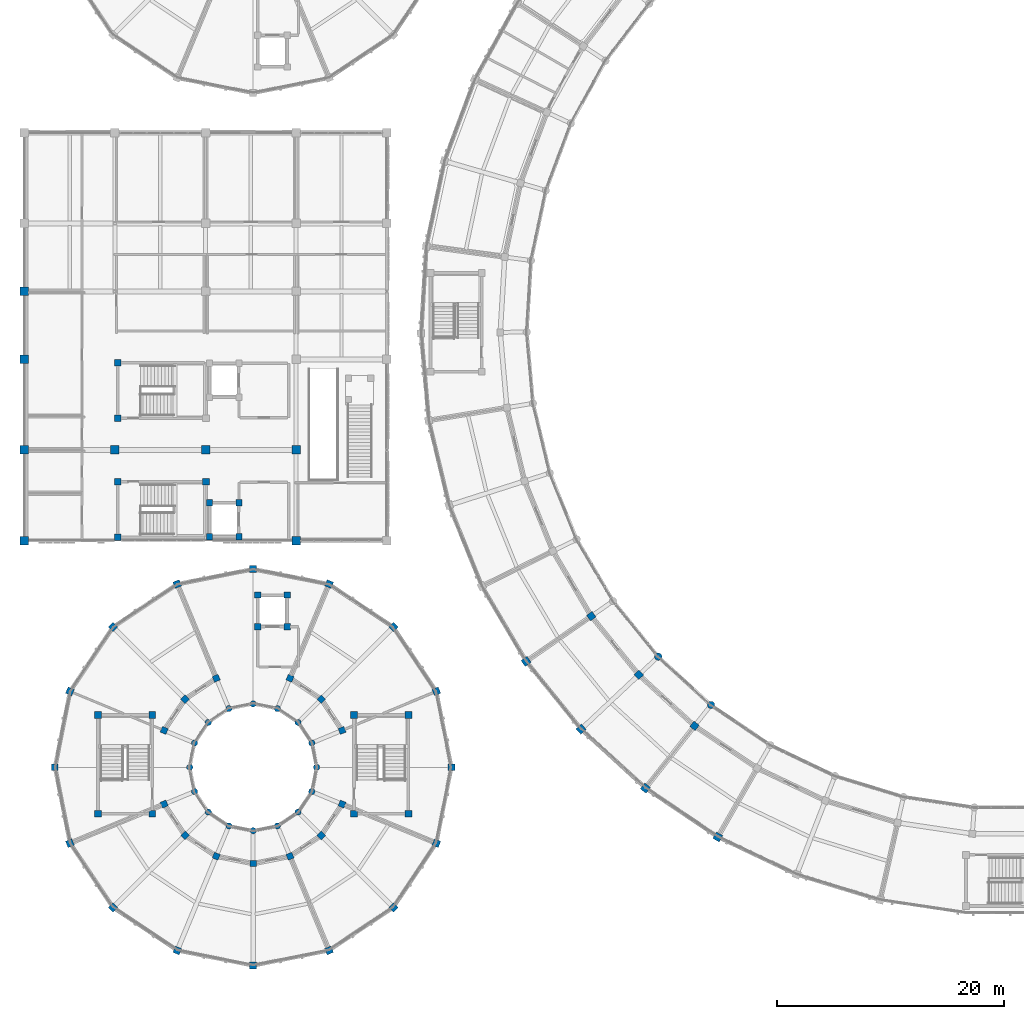
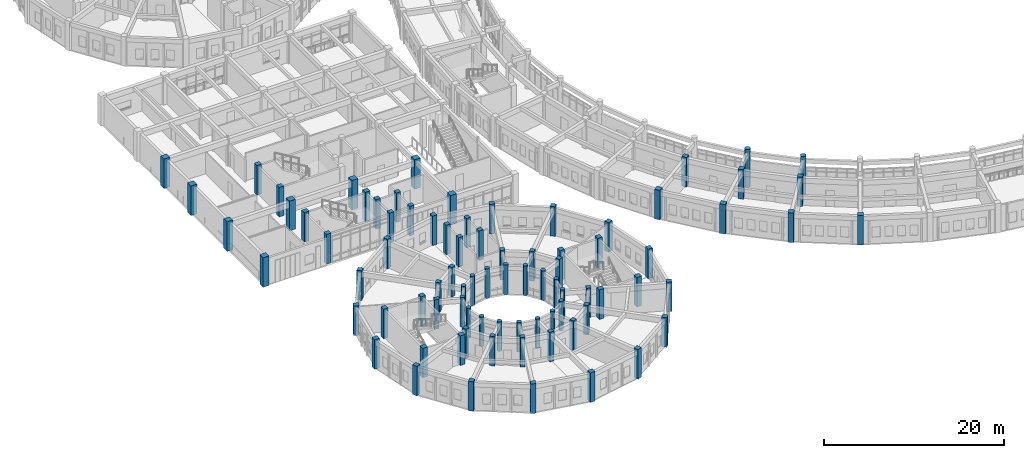
# One storey, part 1 of 159: 83 columns.
"""IFC4 building model written with IfcOpenShell, lengths in metres."""

from ifc_helpers import new_model, si_unit, direction, frame, origin, origin_2d, place, context, subcontext, project, spatial, rectangle, circle, extrude, material, material_profile, profile_set, type_object, element, save


model = new_model("IFC4")

# Units and contexts
model_context = context("Model", 3, precision=1e-05, world=origin(), true_north=direction((0.0, 1.0)))
body_context = subcontext(model_context, "Body", "Model", "MODEL_VIEW")
ifc_project = project(units=[si_unit("LENGTHUNIT", "METRE"), si_unit("AREAUNIT", "SQUARE_METRE"), si_unit("VOLUMEUNIT", "CUBIC_METRE"), si_unit("PLANEANGLEUNIT", "RADIAN"), si_unit("MASSUNIT", "GRAM", prefix="KILO")], contexts=[model_context])

# Site, building, storey
site_placement = place(None, origin())
site = spatial("IfcSite", under=ifc_project, at=site_placement, CompositionType="ELEMENT")
building_placement = place(site_placement, origin())
building = spatial("IfcBuilding", under=site, at=building_placement, Name="Celadon Cloister-Ring School", CompositionType="ELEMENT")
storey_placement = place(building_placement, frame((0.0, 0.0, 4.5)))
storey = spatial("IfcBuildingStorey", under=building, at=storey_placement, Name="L01", CompositionType="ELEMENT", Elevation=4.5)

# Columns
ifc_material_1 = material(Name="Concrete C40/50", Category="concrete")
ifc_material_profile_1 = material_profile(ifc_material_1, rectangle(XDim=0.75, YDim=0.75, at=origin_2d()), Name="RC750X750")
ifc_profile_set_1 = profile_set([ifc_material_profile_1], Name="Concrete C40/50")
column_type_1 = type_object("IfcColumnType", Name="CT-01", PredefinedType="COLUMN", material=ifc_profile_set_1)
for number, where, z_axis, x_axis, name in (
    (1, (0.0, 40.0, 0.0), (0.0, 0.0, 1.0), (1.0, 0.0, 0.0), "Column 1059"),
    (2, (0.0, 48.0, 0.0), (0.0, 0.0, 1.0), (1.0, 0.0, 0.0), "Column 1065"),
    (3, (0.0, 56.0, 0.0), (0.0, 0.0, 1.0), (1.0, 0.0, 0.0), "Column 1071"),
    (4, (0.0, 62.0, 0.0), (0.0, 0.0, 1.0), (1.0, 0.0, 0.0), "Column 1077"),
    (5, (16.0, 48.0, 0.0), (0.0, 0.0, 1.0), (1.0, 0.0, 0.0), "Column 1093"),
    (6, (24.0, 40.0, 0.0), (0.0, 0.0, 1.0), (1.0, 0.0, 0.0), "Column 1115"),
    (7, (24.0, 48.0, 0.0), (0.0, 0.0, 1.0), (1.0, 0.0, 0.0), "Column 1121"),
    (8, (8.0, 48.0, 0.0), (0.0, 0.0, 1.0), (1.0, 0.0, 0.0), "Column 1178"),
):
    element("IfcColumn", number, at=place(storey_placement, frame(where, z_axis=z_axis, x_axis=x_axis)), inside=storey, type_object=column_type_1, Name=name, PredefinedType="COLUMN", context=body_context, shape_type="SweptSolid", body=[
        extrude(rectangle(XDim=0.75, YDim=0.75, at=origin_2d()), origin(), (0.0, 0.0, 1.0), 4.0),
    ])
ifc_material_2 = material(Name="Concrete C40/50", Category="concrete")
ifc_material_profile_2 = material_profile(ifc_material_2, rectangle(XDim=0.60009765625, YDim=0.60009765625, at=origin_2d()), Name="RC600X600")
ifc_profile_set_2 = profile_set([ifc_material_profile_2], Name="Concrete C40/50")
column_type_2 = type_object("IfcColumnType", Name="CT-04", PredefinedType="COLUMN", material=ifc_profile_set_2)
for number, where, z_axis, x_axis, name in (
    (9, (8.25, 40.300048828125, 0.0), (0.0, 0.0, 1.0), (1.0, 0.0, 0.0), "Column 0124"),
    (10, (16.050048828125, 45.199951171875, 0.0), (0.0, 0.0, 1.0), (1.0, 0.0, 0.0), "Column 0130"),
    (11, (8.25, 45.199951171875, 0.0), (0.0, 0.0, 1.0), (1.0, 0.0, 0.0), "Column 0136"),
    (12, (8.25, 50.800048828125, 0.0), (0.0, 0.0, 1.0), (1.0, 0.0, 0.0), "Column 0142"),
    (13, (8.25, 55.699951171875, 0.0), (0.0, 0.0, 1.0), (1.0, 0.0, 0.0), "Column 0154"),
    (14, (6.5, 15.89990234375, 0.0), (0.0, 0.0, 1.0), (1.0, 0.0, 0.0), "Column 0160"),
    (15, (11.300048828125, 15.89990234375, 0.0), (0.0, 0.0, 1.0), (1.0, 0.0, 0.0), "Column 0164"),
    (16, (11.300048828125, 24.6201171875, 0.0), (0.0, 0.0, 1.0), (1.0, 0.0, 0.0), "Column 0168"),
    (17, (6.5, 24.6201171875, 0.0), (0.0, 0.0, 1.0), (1.0, 0.0, 0.0), "Column 0172"),
    (18, (29.10009765625, 15.89990234375, 0.0), (0.0, 0.0, 1.0), (1.0, 0.0, 0.0), "Column 0176"),
    (19, (33.89990234375, 15.89990234375, 0.0), (0.0, 0.0, 1.0), (1.0, 0.0, 0.0), "Column 0180"),
    (20, (33.89990234375, 24.6201171875, 0.0), (0.0, 0.0, 1.0), (1.0, 0.0, 0.0), "Column 0184"),
    (21, (29.10009765625, 24.6201171875, 0.0), (0.0, 0.0, 1.0), (1.0, 0.0, 0.0), "Column 0188"),
    (22, (50.0380859375, 33.3330078125, 0.0), (0.0, 0.0, 1.0), (-0.821388197028, -0.57036955545, 0.0), "Column 0441"),
    (23, (54.235107421875, 28.154052734375, 0.0), (0.0, 0.0, 1.0), (-0.728107824814, -0.685462614185, 0.0), "Column 0445"),
    (24, (59.152099609375, 23.652099609375, 0.0), (0.0, 0.0, 1.0), (-0.618847204173, -0.785511386224, 0.0), "Column 0449"),
):
    element("IfcColumn", number, at=place(storey_placement, frame(where, z_axis=z_axis, x_axis=x_axis)), inside=storey, type_object=column_type_2, Name=name, PredefinedType="COLUMN", context=body_context, shape_type="SweptSolid", body=[
        extrude(rectangle(XDim=0.60009765625, YDim=0.60009765625, at=origin_2d()), origin(), (0.0, 0.0, 1.0), 4.0),
    ])
ifc_material_3 = material(Name="Concrete C40/50", Category="concrete")
ifc_material_profile_3 = material_profile(ifc_material_3, rectangle(XDim=0.550048828125, YDim=0.550048828125, at=origin_2d()), Name="RC550X550")
ifc_profile_set_3 = profile_set([ifc_material_profile_3], Name="Concrete C40/50")
column_type_3 = type_object("IfcColumnType", Name="CT-05", PredefinedType="COLUMN", material=ifc_profile_set_3)
for number, where, z_axis, x_axis, name in (
    (25, (16.35009765625, 40.35009765625, 0.0), (0.0, 0.0, 1.0), (1.0, 0.0, 0.0), "Column 0213"),
    (26, (18.949951171875, 40.35009765625, 0.0), (0.0, 0.0, 1.0), (1.0, 0.0, 0.0), "Column 0219"),
    (27, (18.949951171875, 43.35009765625, 0.0), (0.0, 0.0, 1.0), (1.0, 0.0, 0.0), "Column 0225"),
    (28, (16.35009765625, 43.35009765625, 0.0), (0.0, 0.0, 1.0), (1.0, 0.0, 0.0), "Column 0231"),
    (29, (20.60009765625, 32.39990234375, 0.0), (0.0, 0.0, 1.0), (1.0, 0.0, 0.0), "Column 0293"),
    (30, (23.199951171875, 32.39990234375, 0.0), (0.0, 0.0, 1.0), (1.0, 0.0, 0.0), "Column 0297"),
    (31, (23.199951171875, 35.199951171875, 0.0), (0.0, 0.0, 1.0), (1.0, 0.0, 0.0), "Column 0301"),
    (32, (20.60009765625, 35.199951171875, 0.0), (0.0, 0.0, 1.0), (1.0, 0.0, 0.0), "Column 0305"),
    (33, (28.052978515625, 23.2529296875, 0.0), (0.0, 0.0, 1.0), (0.923879532511, 0.382683432365, 0.0), "Column 1264"),
    (34, (26.2099609375, 26.010009765625, 0.0), (0.0, 0.0, 1.0), (0.707106781187, 0.707106781187, 0.0), "Column 1268"),
    (35, (23.452880859375, 27.85302734375, 0.0), (0.0, 0.0, 1.0), (0.382683432365, 0.923879532511, 0.0), "Column 1272"),
    (36, (16.947021484375, 27.85302734375, 0.0), (0.0, 0.0, 1.0), (-0.382683432365, 0.923879532511, 0.0), "Column 1276"),
    (37, (14.18994140625, 26.010009765625, 0.0), (0.0, 0.0, 1.0), (-0.707106781187, 0.707106781187, 0.0), "Column 1280"),
    (38, (12.346923828125, 23.2529296875, 0.0), (0.0, 0.0, 1.0), (-0.923879532511, 0.382683432365, 0.0), "Column 1284"),
    (39, (12.346923828125, 16.7470703125, 0.0), (0.0, 0.0, 1.0), (-0.923879532511, -0.382683432365, 0.0), "Column 1288"),
    (40, (14.18994140625, 13.989990234375, 0.0), (0.0, 0.0, 1.0), (-0.707106781187, -0.707106781187, 0.0), "Column 1292"),
    (41, (16.947021484375, 12.14697265625, 0.0), (0.0, 0.0, 1.0), (-0.382683432365, -0.923879532511, 0.0), "Column 1296"),
    (42, (20.199951171875, 11.5, 0.0), (0.0, 0.0, 1.0), (0.0, -1.0, 0.0), "Column 1300"),
    (43, (23.452880859375, 12.14697265625, 0.0), (0.0, 0.0, 1.0), (0.382683432365, -0.923879532511, 0.0), "Column 1304"),
    (44, (26.2099609375, 13.989990234375, 0.0), (0.0, 0.0, 1.0), (0.707106781187, -0.707106781187, 0.0), "Column 1308"),
    (45, (28.052978515625, 16.7470703125, 0.0), (0.0, 0.0, 1.0), (0.923879532511, -0.382683432365, 0.0), "Column 1312"),
):
    element("IfcColumn", number, at=place(storey_placement, frame(where, z_axis=z_axis, x_axis=x_axis)), inside=storey, type_object=column_type_3, Name=name, PredefinedType="COLUMN", context=body_context, shape_type="SweptSolid", body=[
        extrude(rectangle(XDim=0.550048828125, YDim=0.550048828125, at=origin_2d()), origin(), (0.0, 0.0, 1.0), 4.0),
    ])
ifc_material_4 = material(Name="Concrete C40/50", Category="concrete")
ifc_material_profile_4 = material_profile(ifc_material_4, circle(Radius=0.27490234375, at=origin_2d()), Name="CIRC550")
ifc_profile_set_4 = profile_set([ifc_material_profile_4], Name="Concrete C40/50")
column_type_4 = type_object("IfcColumnType", Name="CT-07", PredefinedType="COLUMN", material=ifc_profile_set_4)
for number, where, z_axis, x_axis, name in (
    (46, (25.800048828125, 20.0, 0.0), (0.0, 0.0, 1.0), (1.0, 0.0, 0.0), "Column 1200"),
    (47, (25.3740234375, 22.14306640625, 0.0), (0.0, 0.0, 1.0), (1.0, 0.0, 0.0), "Column 1204"),
    (48, (24.159912109375, 23.9599609375, 0.0), (0.0, 0.0, 1.0), (1.0, 0.0, 0.0), "Column 1208"),
    (49, (22.343017578125, 25.174072265625, 0.0), (0.0, 0.0, 1.0), (1.0, 0.0, 0.0), "Column 1212"),
    (50, (20.199951171875, 25.60009765625, 0.0), (0.0, 0.0, 1.0), (1.0, 0.0, 0.0), "Column 1216"),
    (51, (18.056884765625, 25.174072265625, 0.0), (0.0, 0.0, 1.0), (1.0, 0.0, 0.0), "Column 1220"),
    (52, (16.239990234375, 23.9599609375, 0.0), (0.0, 0.0, 1.0), (1.0, 0.0, 0.0), "Column 1224"),
    (53, (15.02587890625, 22.14306640625, 0.0), (0.0, 0.0, 1.0), (1.0, 0.0, 0.0), "Column 1228"),
    (54, (14.60009765625, 20.0, 0.0), (0.0, 0.0, 1.0), (1.0, 0.0, 0.0), "Column 1232"),
    (55, (15.02587890625, 17.85693359375, 0.0), (0.0, 0.0, 1.0), (1.0, 0.0, 0.0), "Column 1236"),
    (56, (16.239990234375, 16.0400390625, 0.0), (0.0, 0.0, 1.0), (1.0, 0.0, 0.0), "Column 1240"),
    (57, (18.056884765625, 14.825927734375, 0.0), (0.0, 0.0, 1.0), (1.0, 0.0, 0.0), "Column 1244"),
    (58, (20.199951171875, 14.39990234375, 0.0), (0.0, 0.0, 1.0), (1.0, 0.0, 0.0), "Column 1248"),
    (59, (22.343017578125, 14.825927734375, 0.0), (0.0, 0.0, 1.0), (1.0, 0.0, 0.0), "Column 1252"),
    (60, (24.159912109375, 16.0400390625, 0.0), (0.0, 0.0, 1.0), (1.0, 0.0, 0.0), "Column 1256"),
    (61, (25.3740234375, 17.85693359375, 0.0), (0.0, 0.0, 1.0), (1.0, 0.0, 0.0), "Column 1260"),
):
    element("IfcColumn", number, at=place(storey_placement, frame(where, z_axis=z_axis, x_axis=x_axis)), inside=storey, type_object=column_type_4, Name=name, PredefinedType="COLUMN", context=body_context, shape_type="SweptSolid", body=[
        extrude(circle(Radius=0.27490234375, at=origin_2d()), origin(), (0.0, 0.0, 1.0), 4.0),
    ])
ifc_material_5 = material(Name="Concrete C40/50", Category="concrete")
ifc_material_profile_5 = material_profile(ifc_material_5, rectangle(XDim=0.64990234375, YDim=0.64990234375, at=origin_2d()), Name="RC650X650")
ifc_profile_set_5 = profile_set([ifc_material_profile_5], Name="Concrete C40/50")
column_type_5 = type_object("IfcColumnType", Name="CT-22", PredefinedType="COLUMN", material=ifc_profile_set_5)
for number, where, z_axis, x_axis, name in (
    (62, (44.2880859375, 29.341064453125, 0.0), (0.0, 0.0, 1.0), (-0.821388197028, -0.57036955545, 0.0), "Column 0585"),
    (63, (49.137939453125, 23.35595703125, 0.0), (0.0, 0.0, 1.0), (-0.728107824814, -0.685462614185, 0.0), "Column 0589"),
    (64, (54.820068359375, 18.153076171875, 0.0), (0.0, 0.0, 1.0), (-0.618847204173, -0.785511386224, 0.0), "Column 0593"),
    (65, (61.2080078125, 13.846923828125, 0.0), (0.0, 0.0, 1.0), (-0.496004347874, -0.868320037135, 0.0), "Column 0597"),
):
    element("IfcColumn", number, at=place(storey_placement, frame(where, z_axis=z_axis, x_axis=x_axis)), inside=storey, type_object=column_type_5, Name=name, PredefinedType="COLUMN", context=body_context, shape_type="SweptSolid", body=[
        extrude(rectangle(XDim=0.64990234375, YDim=0.64990234375, at=origin_2d()), origin(), (0.0, 0.0, 1.0), 4.0),
    ])
ifc_material_6 = material(Name="Concrete C40/50", Category="concrete")
ifc_material_profile_6 = material_profile(ifc_material_6, rectangle(XDim=0.60009765625, YDim=0.60009765625, at=origin_2d()), Name="RC600X600")
ifc_profile_set_6 = profile_set([ifc_material_profile_6], Name="Concrete C40/50")
column_type_6 = type_object("IfcColumnType", Name="CT-23", PredefinedType="COLUMN", material=ifc_profile_set_6)
for number, where, z_axis, x_axis, name in (
    (66, (37.699951171875, 20.0, 0.0), (0.0, 0.0, 1.0), (1.0, 0.0, 0.0), "Column 1316"),
    (67, (36.367919921875, 26.697021484375, 0.0), (0.0, 0.0, 1.0), (0.923879532511, 0.382683432365, 0.0), "Column 1320"),
    (68, (32.573974609375, 32.3740234375, 0.0), (0.0, 0.0, 1.0), (0.707106781187, 0.707106781187, 0.0), "Column 1324"),
    (69, (26.89697265625, 36.16796875, 0.0), (0.0, 0.0, 1.0), (0.382683432365, 0.923879532511, 0.0), "Column 1328"),
    (70, (20.199951171875, 37.5, 0.0), (0.0, 0.0, 1.0), (0.0, 1.0, 0.0), "Column 1332"),
    (71, (13.5029296875, 36.16796875, 0.0), (0.0, 0.0, 1.0), (-0.382683432365, 0.923879532511, 0.0), "Column 1336"),
    (72, (7.825927734375, 32.3740234375, 0.0), (0.0, 0.0, 1.0), (-0.707106781187, 0.707106781187, 0.0), "Column 1340"),
    (73, (4.031982421875, 26.697021484375, 0.0), (0.0, 0.0, 1.0), (-0.923879532511, 0.382683432365, 0.0), "Column 1344"),
    (74, (2.699951171875, 20.0, 0.0), (0.0, 0.0, 1.0), (-1.0, 0.0, 0.0), "Column 1348"),
    (75, (4.031982421875, 13.302978515625, 0.0), (0.0, 0.0, 1.0), (-0.923879532511, -0.382683432365, 0.0), "Column 1352"),
    (76, (7.825927734375, 7.6259765625, 0.0), (0.0, 0.0, 1.0), (-0.707106781187, -0.707106781187, 0.0), "Column 1356"),
    (77, (13.5029296875, 3.83203125, 0.0), (0.0, 0.0, 1.0), (-0.382683432365, -0.923879532511, 0.0), "Column 1360"),
    (78, (20.199951171875, 2.5, 0.0), (0.0, 0.0, 1.0), (0.0, -1.0, 0.0), "Column 1364"),
    (79, (26.89697265625, 3.83203125, 0.0), (0.0, 0.0, 1.0), (0.382683432365, -0.923879532511, 0.0), "Column 1368"),
    (80, (32.573974609375, 7.6259765625, 0.0), (0.0, 0.0, 1.0), (0.707106781187, -0.707106781187, 0.0), "Column 1372"),
    (81, (36.367919921875, 13.302978515625, 0.0), (0.0, 0.0, 1.0), (0.923879532511, -0.382683432365, 0.0), "Column 1376"),
):
    element("IfcColumn", number, at=place(storey_placement, frame(where, z_axis=z_axis, x_axis=x_axis)), inside=storey, type_object=column_type_6, Name=name, PredefinedType="COLUMN", context=body_context, shape_type="SweptSolid", body=[
        extrude(rectangle(XDim=0.60009765625, YDim=0.60009765625, at=origin_2d()), origin(), (0.0, 0.0, 1.0), 4.0),
    ])
ifc_material_7 = material(Name="Concrete C40/50", Category="concrete")
ifc_material_profile_7 = material_profile(ifc_material_7, circle(Radius=0.324951171875, at=origin_2d()), Name="CIRC650")
ifc_profile_set_7 = profile_set([ifc_material_profile_7], Name="Concrete C40/50")
column_type_7 = type_object("IfcColumnType", Name="CT-25", PredefinedType="COLUMN", material=ifc_profile_set_7)
for number, where, z_axis, x_axis, name in (
    (82, (55.946044921875, 29.764892578125, 0.0), (0.0, 0.0, 1.0), (1.0, 0.0, 0.0), "Column 0349"),
    (83, (60.60595703125, 25.498046875, 0.0), (0.0, 0.0, 1.0), (1.0, 0.0, 0.0), "Column 0351"),
):
    element("IfcColumn", number, at=place(storey_placement, frame(where, z_axis=z_axis, x_axis=x_axis)), inside=storey, type_object=column_type_7, Name=name, PredefinedType="COLUMN", context=body_context, shape_type="SweptSolid", body=[
        extrude(circle(Radius=0.324951171875, at=origin_2d()), origin(), (0.0, 0.0, 1.0), 5.1201171875),
    ])

save(model, "model.ifc")
